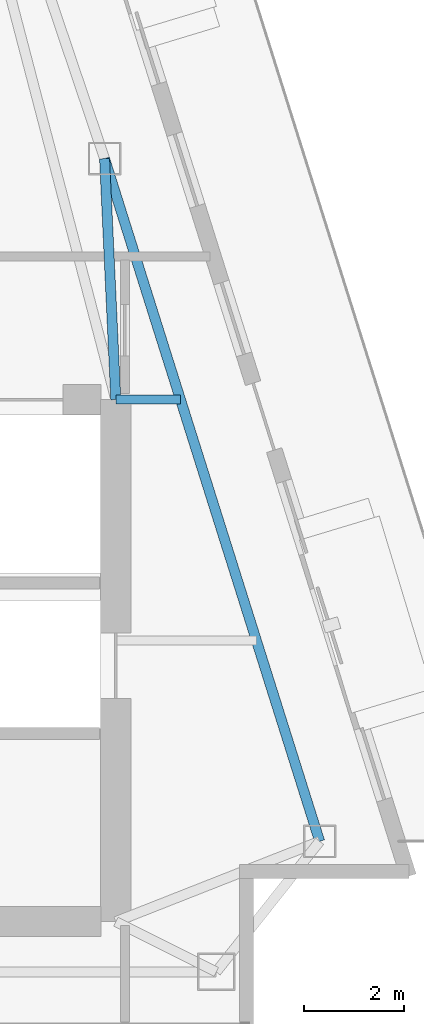
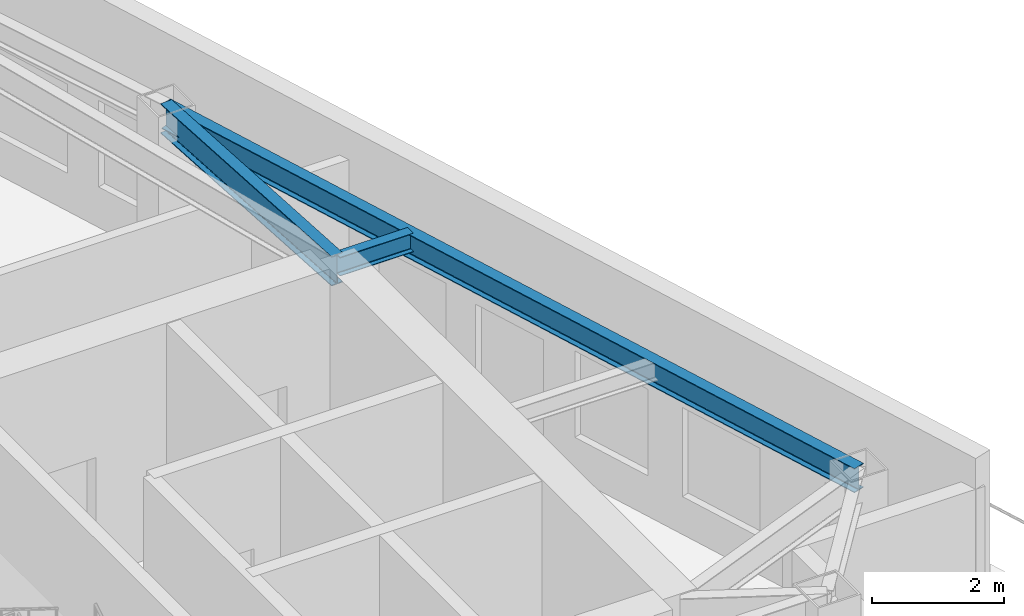
# One storey, part 13 of 25: 3 beams.
"""IFC4 building model written with IfcOpenShell, lengths in metres."""

from ifc_helpers import new_model, si_unit, direction, frame, origin, origin_2d, place, context, subcontext, project, spatial, i_section, extrude, material, material_profile, profile_set, type_object, element, save


model = new_model("IFC4")

# Units and contexts
model_context = context("Model", 3, precision=1e-05, world=origin(), true_north=direction((0.0, 1.0)))
body_context = subcontext(model_context, "Body", "Model", "MODEL_VIEW")
ifc_project = project(units=[si_unit("LENGTHUNIT", "METRE"), si_unit("AREAUNIT", "SQUARE_METRE"), si_unit("VOLUMEUNIT", "CUBIC_METRE"), si_unit("PLANEANGLEUNIT", "RADIAN"), si_unit("MASSUNIT", "GRAM", prefix="KILO")], contexts=[model_context])

# Site, building, storey
site_placement = place(None, origin())
site = spatial("IfcSite", under=ifc_project, at=site_placement, CompositionType="ELEMENT")
building_placement = place(site_placement, origin())
building = spatial("IfcBuilding", under=site, at=building_placement, Name="Calvorn Quay Hotel", CompositionType="ELEMENT")
storey_placement = place(building_placement, frame((0.0, 0.0, 307.0)))
storey = spatial("IfcBuildingStorey", under=building, at=storey_placement, Name="L76", CompositionType="ELEMENT", Elevation=307.0)

# Beams
ifc_material_1 = material(Name="Steel Q355B", Category="steel")
ifc_material_profile_1 = material_profile(ifc_material_1, i_section(OverallWidth=0.199951171875, OverallDepth=0.550048828125, WebThickness=0.010009765625, FlangeThickness=0.01611328125, FilletRadius=0.01806640625, at=origin_2d()), Name="HN550x200x10x16")
ifc_profile_set_1 = profile_set([ifc_material_profile_1], Name="Steel Q355B")
beam_type_1 = type_object("IfcBeamType", Name="BM-GIRD-UPP", PredefinedType="BEAM", material=ifc_profile_set_1)
beam_1_placement = place(storey_placement, frame((32.39990234375, 15.0, 3.965087890625), z_axis=(-0.046589910492, 0.998914100531, 0.0), x_axis=(-0.998914100531, -0.046589910492, 0.0)))
element("IfcBeam", 1, at=beam_1_placement, inside=storey, type_object=beam_type_1, Name="Beam BG-L76-E2", PredefinedType="BEAM", context=body_context, shape_type="SweptSolid", body=[
    extrude(i_section(OverallWidth=0.199951171875, OverallDepth=0.550048828125, WebThickness=0.010009765625, FlangeThickness=0.01611328125, FilletRadius=0.01806640625, at=origin_2d()), origin(), (0.0, 0.0, 1.0), 4.80517578125),
])
ifc_material_2 = material(Name="Steel Q355B", Category="steel")
ifc_material_profile_2 = material_profile(ifc_material_2, i_section(OverallWidth=0.175048828125, OverallDepth=0.35009765625, WebThickness=0.007080078125, FlangeThickness=0.010986328125, FilletRadius=0.013916015625, at=origin_2d()), Name="HN350x175x7x11")
ifc_profile_set_2 = profile_set([ifc_material_profile_2], Name="Steel Q355B")
beam_type_2 = type_object("IfcBeamType", Name="BM-JOIST-SEC", PredefinedType="JOIST", material=ifc_profile_set_2)
beam_2_placement = place(storey_placement, frame((32.39990234375, 15.0, 4.06494140625), z_axis=(1.0, 0.0, 0.0), x_axis=(0.0, 1.0, 0.0)))
element("IfcBeam", 2, at=beam_2_placement, inside=storey, type_object=beam_type_2, Name="Beam BJ-L76-E2", PredefinedType="JOIST", context=body_context, shape_type="SweptSolid", body=[
    extrude(i_section(OverallWidth=0.175048828125, OverallDepth=0.35009765625, WebThickness=0.007080078125, FlangeThickness=0.010986328125, FilletRadius=0.013916015625, at=origin_2d()), origin(), (0.0, 0.0, 1.0), 1.2880859375),
])
ifc_material_3 = material(Name="Steel Q355B", Category="steel")
ifc_material_profile_3 = material_profile(ifc_material_3, i_section(OverallWidth=0.199951171875, OverallDepth=0.449951171875, WebThickness=0.009033203125, FlangeThickness=0.013916015625, FilletRadius=0.01611328125, at=origin_2d()), Name="HN450x200x9x14")
ifc_profile_set_3 = profile_set([ifc_material_profile_3], Name="Steel Q355B")
beam_type_3 = type_object("IfcBeamType", Name="BM-SPANDREL-Z3", PredefinedType="SPANDREL", material=ifc_profile_set_3)
beam_3_placement = place(storey_placement, frame((36.4609375, 6.199951171875, 4.014892578125), z_axis=(-0.300502802767, 0.953780931624, 0.0), x_axis=(-0.953780931624, -0.300502802767, 0.0)))
element("IfcBeam", 3, at=beam_3_placement, inside=storey, type_object=beam_type_3, Name="Beam BSP-L76-E1", PredefinedType="SPANDREL", context=body_context, shape_type="SweptSolid", body=[
    extrude(i_section(OverallWidth=0.199951171875, OverallDepth=0.449951171875, WebThickness=0.009033203125, FlangeThickness=0.013916015625, FilletRadius=0.01611328125, at=origin_2d()), origin(), (0.0, 0.0, 1.0), 14.259033203125),
])

save(model, "model.ifc")
